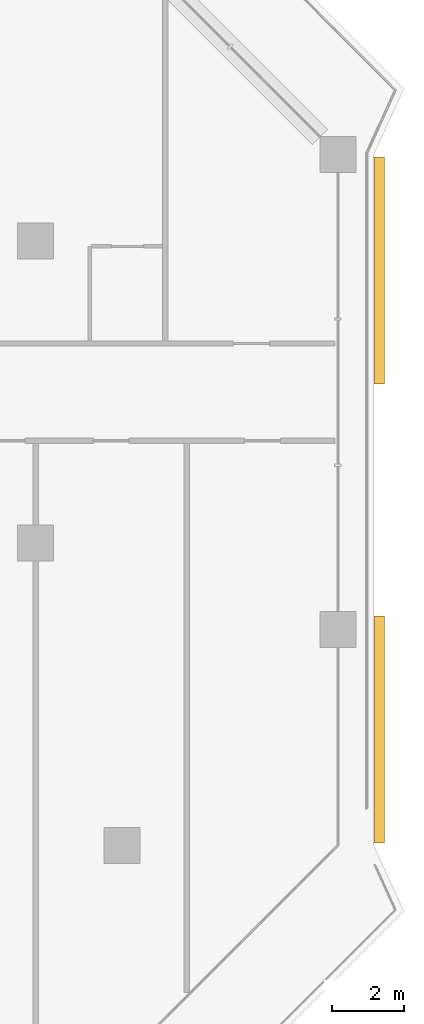
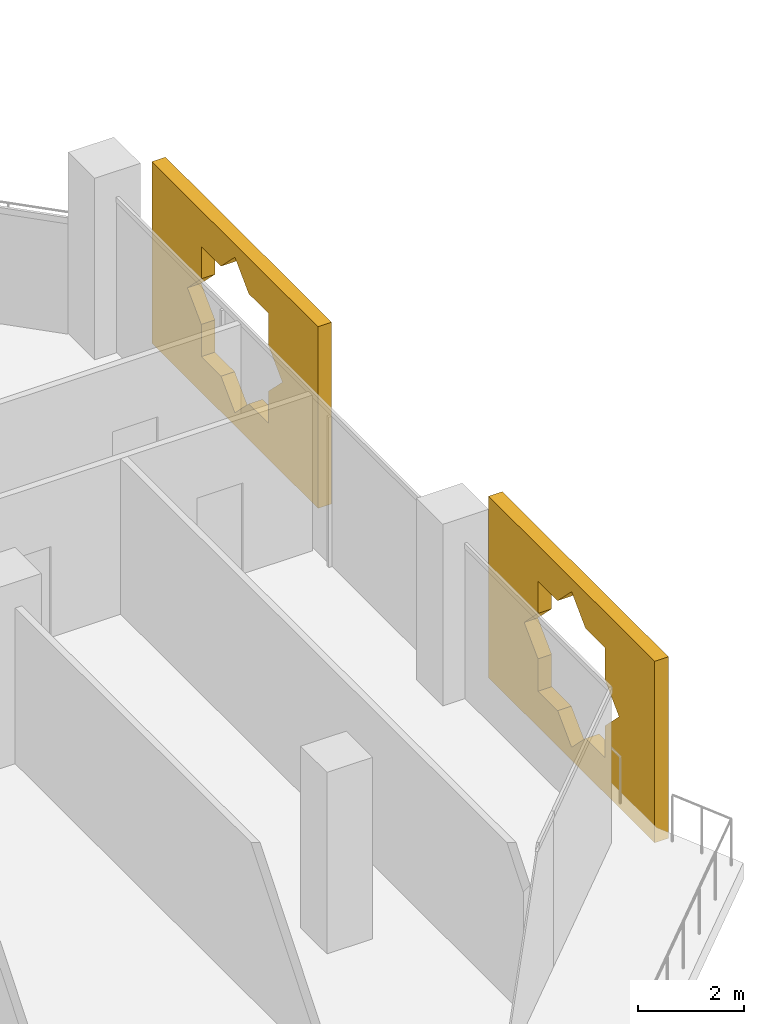
# One storey, part 22 of 22: 2 coverings.
"""IFC4 building model written with IfcOpenShell, lengths in metres."""

from ifc_helpers import new_model, si_unit, direction, frame, origin, place, context, subcontext, project, spatial, polyline, outline, extrude, material, material_profile, profile_set, type_object, element, save


model = new_model("IFC4")

# Units and contexts
model_context = context("Model", 3, precision=1e-05, world=origin(), true_north=direction((0.0, 1.0)))
body_context = subcontext(model_context, "Body", "Model", "MODEL_VIEW")
ifc_project = project(units=[si_unit("LENGTHUNIT", "METRE"), si_unit("AREAUNIT", "SQUARE_METRE"), si_unit("VOLUMEUNIT", "CUBIC_METRE"), si_unit("PLANEANGLEUNIT", "RADIAN"), si_unit("MASSUNIT", "GRAM", prefix="KILO")], contexts=[model_context])

# Site, building, storey
site_placement = place(None, origin())
site = spatial("IfcSite", under=ifc_project, at=site_placement, CompositionType="ELEMENT")
building_placement = place(site_placement, origin())
building = spatial("IfcBuilding", under=site, at=building_placement, Name="Kawkab Arch Medical Tower", CompositionType="ELEMENT")
storey_placement = place(building_placement, frame((0.0, 0.0, 171.0)))
storey = spatial("IfcBuildingStorey", under=building, at=storey_placement, Name="L39", CompositionType="ELEMENT", Elevation=171.0)

# Coverings
ifc_material = material(Name="Bronze anodised aluminium mashrabiya panel, eight-point star pattern", Category="aluminium")
ifc_material_profile = material_profile(ifc_material, outline(polyline([(-3.14990234375, -2.10009765625), (3.14990234375, -2.10009765625), (3.14990234375, 2.10009765625), (-3.14990234375, 2.10009765625), (-3.14990234375, -2.10009765625)]), holes=[polyline([(1.800048828125, 0.0), (1.272705078125, 0.527099609375), (1.272705078125, 1.272705078125), (0.527099609375, 1.272705078125), (0.0, 1.800048828125), (-0.527099609375, 1.272705078125), (-1.272705078125, 1.272705078125), (-1.272705078125, 0.527099609375), (-1.800048828125, 0.0), (-1.272705078125, -0.527099609375), (-1.272705078125, -1.272705078125), (-0.527099609375, -1.272705078125), (0.0, -1.800048828125), (0.527099609375, -1.272705078125), (1.272705078125, -1.272705078125), (1.272705078125, -0.527099609375), (1.800048828125, 0.0)])]), Name="Mashrabiya panel 6300x4200")
ifc_profile_set = profile_set([ifc_material_profile], Name="Bronze anodised aluminium mashrabiya panel, eight-point star pattern")
covering_type = type_object("IfcCoveringType", Name="Mashrabiya panel 6300 x 4200", PredefinedType="USERDEFINED", material=ifc_profile_set)
for number, where, z_axis, x_axis, name in (
    (1, (68.199951171875, -9.218505859375, 1.699951171875), (1.0, 0.0, 0.0), (0.0, 1.0, 0.0), "Mashrabiya panel L39.LOG-01-01.7"),
    (2, (68.199951171875, -21.9814453125, 1.699951171875), (1.0, 0.0, 0.0), (0.0, 1.0, 0.0), "Mashrabiya panel L39.LOG-01-01.8"),
):
    element("IfcCovering", number, at=place(storey_placement, frame(where, z_axis=z_axis, x_axis=x_axis)), inside=storey, type_object=covering_type, Name=name, ObjectType="SCREEN", PredefinedType="USERDEFINED", context=body_context, shape_type="SweptSolid", body=[
        extrude(outline(polyline([(-3.14990234375, -2.10009765625), (3.14990234375, -2.10009765625), (3.14990234375, 2.10009765625), (-3.14990234375, 2.10009765625), (-3.14990234375, -2.10009765625)]), holes=[polyline([(1.800048828125, 0.0), (1.272705078125, 0.527099609375), (1.272705078125, 1.272705078125), (0.527099609375, 1.272705078125), (0.0, 1.800048828125), (-0.527099609375, 1.272705078125), (-1.272705078125, 1.272705078125), (-1.272705078125, 0.527099609375), (-1.800048828125, 0.0), (-1.272705078125, -0.527099609375), (-1.272705078125, -1.272705078125), (-0.527099609375, -1.272705078125), (0.0, -1.800048828125), (0.527099609375, -1.272705078125), (1.272705078125, -1.272705078125), (1.272705078125, -0.527099609375), (1.800048828125, 0.0)])]), origin(), (0.0, 0.0, 1.0), 0.300048828125),
    ])

save(model, "model.ifc")
